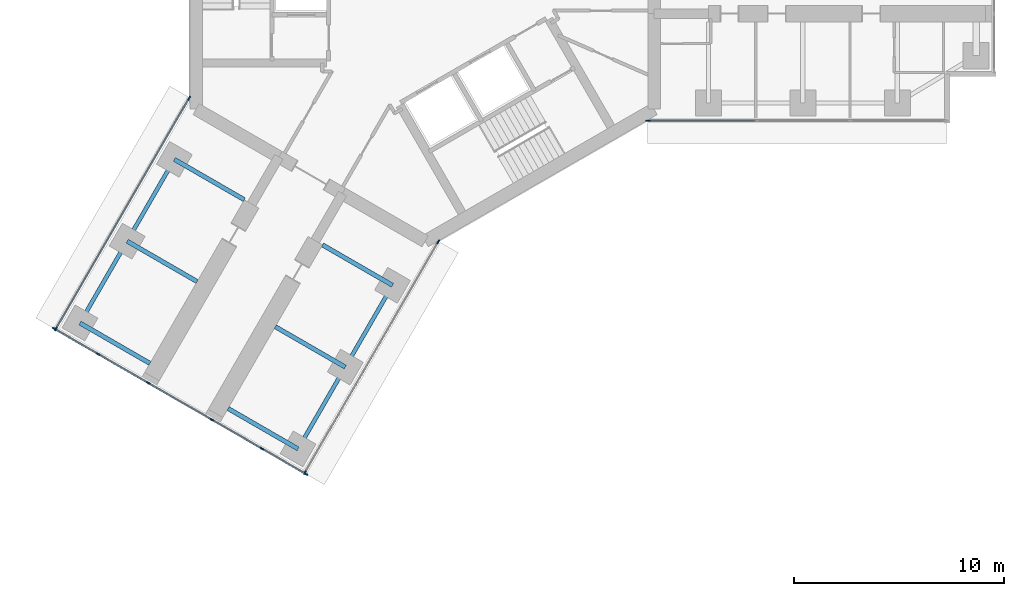
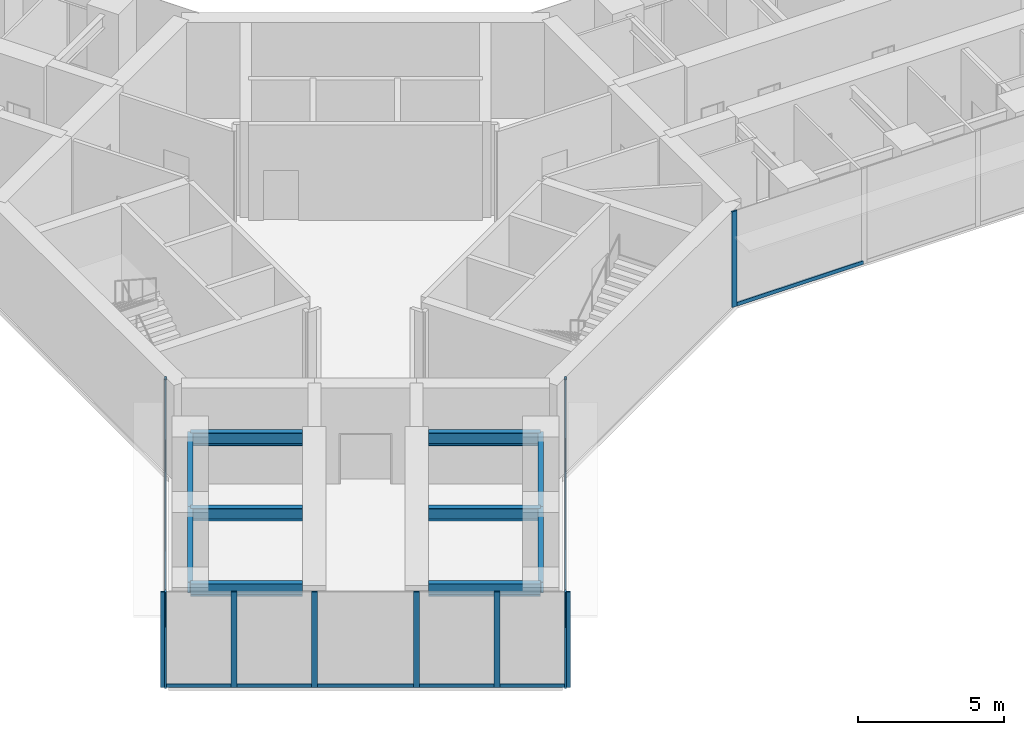
# One storey, part 2 of 23: 19 members, 10 beams, 4 elements without a shape of their own.
"""IFC4 building model written with IfcOpenShell, lengths in metres."""

from ifc_helpers import new_model, si_unit, direction, frame, origin, origin_2d, place, context, subcontext, project, spatial, rectangle, i_section, extrude, material, material_profile, profile_set, type_object, element, aggregate, save


model = new_model("IFC4")

# Units and contexts
model_context = context("Model", 3, precision=1e-05, world=origin(), true_north=direction((0.0, 1.0)))
body_context = subcontext(model_context, "Body", "Model", "MODEL_VIEW")
ifc_project = project(units=[si_unit("LENGTHUNIT", "METRE"), si_unit("AREAUNIT", "SQUARE_METRE"), si_unit("VOLUMEUNIT", "CUBIC_METRE"), si_unit("PLANEANGLEUNIT", "RADIAN"), si_unit("MASSUNIT", "GRAM", prefix="KILO")], contexts=[model_context])

# Site, building, storey
site_placement = place(None, origin())
site = spatial("IfcSite", under=ifc_project, at=site_placement, CompositionType="ELEMENT")
building_placement = place(site_placement, origin())
building = spatial("IfcBuilding", under=site, at=building_placement, Name="Upepo Twin Towers", CompositionType="ELEMENT")
storey_placement = place(building_placement, frame((0.0, 0.0, 145.5)))
storey = spatial("IfcBuildingStorey", under=building, at=storey_placement, Name="L35", CompositionType="ELEMENT", Elevation=145.5)

# Beams
ifc_material_1 = material(Name="Steel S355", Category="steel")
ifc_material_profile_1 = material_profile(ifc_material_1, i_section(OverallWidth=0.1904296875, OverallDepth=0.45703125, WebThickness=0.009033203125, FlangeThickness=0.014404296875, FilletRadius=0.01025390625, at=origin_2d()), Name="UB 457x191x74")
ifc_profile_set_1 = profile_set([ifc_material_profile_1], Name="Steel S355")
beam_type_1 = type_object("IfcBeamType", Name="Beam UB 457x191x74", PredefinedType="BEAM", material=ifc_profile_set_1)
beam_1_placement = place(storey_placement, frame((-1.553955078125, -14.69140625, 3.571533203125), z_axis=(-0.500013631625, -0.866017533419, 0.0), x_axis=(0.866017533419, -0.500013631625, 0.0)))
element("IfcBeam", 1, at=beam_1_placement, inside=storey, type_object=beam_type_1, Name="T1 edge beam CL 13.5-18.0", PredefinedType="BEAM", context=body_context, shape_type="SweptSolid", body=[
    extrude(i_section(OverallWidth=0.1904296875, OverallDepth=0.45703125, WebThickness=0.009033203125, FlangeThickness=0.014404296875, FilletRadius=0.01025390625, at=origin_2d()), origin(), (0.0, 0.0, 1.0), 4.499755859375),
])
beam_2_placement = place(storey_placement, frame((-3.803955078125, -18.58837890625, 3.571533203125), z_axis=(-0.499990139034, -0.866031096941, 0.0), x_axis=(0.866031096941, -0.499990139034, 0.0)))
element("IfcBeam", 2, at=beam_2_placement, inside=storey, type_object=beam_type_1, Name="T1 edge beam CL 18.0-22.5", PredefinedType="BEAM", context=body_context, shape_type="SweptSolid", body=[
    extrude(i_section(OverallWidth=0.1904296875, OverallDepth=0.45703125, WebThickness=0.009033203125, FlangeThickness=0.014404296875, FilletRadius=0.01025390625, at=origin_2d()), origin(), (0.0, 0.0, 1.0), 4.5),
])
beam_3_placement = place(storey_placement, frame((-11.946044921875, -8.69140625, 3.571533203125), z_axis=(-0.500013631625, -0.866017533419, 0.0), x_axis=(0.866017533419, -0.500013631625, 0.0)))
element("IfcBeam", 3, at=beam_3_placement, inside=storey, type_object=beam_type_1, Name="T1 edge beam CR 13.5-18.0", PredefinedType="BEAM", context=body_context, shape_type="SweptSolid", body=[
    extrude(i_section(OverallWidth=0.1904296875, OverallDepth=0.45703125, WebThickness=0.009033203125, FlangeThickness=0.014404296875, FilletRadius=0.01025390625, at=origin_2d()), origin(), (0.0, 0.0, 1.0), 4.499755859375),
])
beam_4_placement = place(storey_placement, frame((-14.196044921875, -12.58837890625, 3.571533203125), z_axis=(-0.499990139034, -0.866031096941, 0.0), x_axis=(0.866031096941, -0.499990139034, 0.0)))
element("IfcBeam", 4, at=beam_4_placement, inside=storey, type_object=beam_type_1, Name="T1 edge beam CR 18.0-22.5", PredefinedType="BEAM", context=body_context, shape_type="SweptSolid", body=[
    extrude(i_section(OverallWidth=0.1904296875, OverallDepth=0.45703125, WebThickness=0.009033203125, FlangeThickness=0.014404296875, FilletRadius=0.01025390625, at=origin_2d()), origin(), (0.0, 0.0, 1.0), 4.5),
])
ifc_material_2 = material(Name="Steel S355", Category="steel")
ifc_material_profile_2 = material_profile(ifc_material_2, i_section(OverallWidth=0.209228515625, OverallDepth=0.533203125, WebThickness=0.010009765625, FlangeThickness=0.015625, FilletRadius=0.0126953125, at=origin_2d()), Name="UB 533x210x92")
ifc_profile_set_2 = profile_set([ifc_material_profile_2], Name="Steel S355")
beam_type_2 = type_object("IfcBeamType", Name="Beam UB 533x210x92", PredefinedType="BEAM", material=ifc_profile_set_2)
beam_5_placement = place(storey_placement, frame((-1.553955078125, -14.69140625, 3.533447265625), z_axis=(-0.866006051527, 0.500033517596, 0.0), x_axis=(-0.500033517596, -0.866006051527, 0.0)))
element("IfcBeam", 5, at=beam_5_placement, inside=storey, type_object=beam_type_2, Name="T1 girder CL at 13.5", PredefinedType="BEAM", context=body_context, shape_type="SweptSolid", body=[
    extrude(i_section(OverallWidth=0.209228515625, OverallDepth=0.533203125, WebThickness=0.010009765625, FlangeThickness=0.015625, FilletRadius=0.0126953125, at=origin_2d()), origin(), (0.0, 0.0, 1.0), 3.849853515625),
])
beam_6_placement = place(storey_placement, frame((-3.803955078125, -18.58837890625, 3.533447265625), z_axis=(-0.866033512162, 0.499985955615, 0.0), x_axis=(-0.499985955615, -0.866033512162, 0.0)))
element("IfcBeam", 6, at=beam_6_placement, inside=storey, type_object=beam_type_2, Name="T1 girder CL at 18.0", PredefinedType="BEAM", context=body_context, shape_type="SweptSolid", body=[
    extrude(i_section(OverallWidth=0.209228515625, OverallDepth=0.533203125, WebThickness=0.010009765625, FlangeThickness=0.015625, FilletRadius=0.0126953125, at=origin_2d()), origin(), (0.0, 0.0, 1.0), 3.849609375),
])
for number, where, z_axis, x_axis, name in (
    (7, (-6.053955078125, -22.485595703125, 3.533447265625), (-0.866006051527, 0.500033517596, 0.0), (-0.500033517596, -0.866006051527, 0.0), "T1 girder CL at 22.5"),
    (8, (-11.946044921875, -8.69140625, 3.533447265625), (0.866006051527, -0.500033517596, 0.0), (0.500033517596, 0.866006051527, 0.0), "T1 girder CR at 13.5"),
    (9, (-14.196044921875, -12.58837890625, 3.533447265625), (0.866006051527, -0.500033517596, 0.0), (0.500033517596, 0.866006051527, 0.0), "T1 girder CR at 18.0"),
    (10, (-16.446044921875, -16.485595703125, 3.533447265625), (0.866006051527, -0.500033517596, 0.0), (0.500033517596, 0.866006051527, 0.0), "T1 girder CR at 22.5"),
):
    element("IfcBeam", number, at=place(storey_placement, frame(where, z_axis=z_axis, x_axis=x_axis)), inside=storey, type_object=beam_type_2, Name=name, PredefinedType="BEAM", context=body_context, shape_type="SweptSolid", body=[
        extrude(i_section(OverallWidth=0.209228515625, OverallDepth=0.533203125, WebThickness=0.010009765625, FlangeThickness=0.015625, FilletRadius=0.0126953125, at=origin_2d()), origin(), (0.0, 0.0, 1.0), 3.849853515625),
    ])

# Curtain wall, member
ifc_material_3 = material(Name="Aluminium and fritted glass", Category="aluminium")
curtain_wall_type = type_object("IfcCurtainWallType", Name="Tower curtain wall TW2, fritted glass", PredefinedType="NOTDEFINED", material=ifc_material_3)
curtain_wall_1_placement = place(storey_placement, origin())
curtain_wall_1 = element("IfcCurtainWall", 11, at=curtain_wall_1_placement, inside=storey, type_object=curtain_wall_type, Name="T1 L35 wing A flank R curtain wall", PredefinedType="NOTDEFINED")
ifc_material_4 = material(Name="Aluminium mullion", Category="aluminium")
ifc_material_profile_3 = material_profile(ifc_material_4, rectangle(XDim=0.06494140625, YDim=0.199951171875, at=origin_2d()), Name="MULLION 65x200")
ifc_profile_set_3 = profile_set([ifc_material_profile_3], Name="Aluminium mullion")
member_type_1 = type_object("IfcMemberType", Name="Mullion 65x200 TW2", PredefinedType="MULLION", material=ifc_profile_set_3)
member_1_placement = place(storey_placement, frame((10.61962890625, -6.85009765625, 0.0), z_axis=(0.0, 0.0, 1.0), x_axis=(0.0, -1.0, 0.0)))
member_1 = element("IfcMember", 12, at=member_1_placement, type_object=member_type_1, Name="T1 L35 wing A flank R curtain wall mullion 4", PredefinedType="MULLION", context=body_context, shape_type="SweptSolid", body=[
    extrude(rectangle(XDim=0.06494140625, YDim=0.199951171875, at=origin_2d()), origin(), (0.0, 0.0, 1.0), 4.0),
])

# Curtain wall, members
curtain_wall_2_placement = place(storey_placement, origin())
curtain_wall_2 = element("IfcCurtainWall", 13, at=curtain_wall_2_placement, inside=storey, type_object=curtain_wall_type, Name="T1 L35 wing C flank L curtain wall", PredefinedType="NOTDEFINED")
member_2_placement = place(storey_placement, frame((0.62255859375, -12.621826171875, 0.0), z_axis=(0.0, 0.0, 1.0), x_axis=(0.866025399212, -0.50000000792, 0.0)))
member_2 = element("IfcMember", 14, at=member_2_placement, type_object=member_type_1, Name="T1 L35 wing C flank L curtain wall mullion 1", PredefinedType="MULLION", context=body_context, shape_type="SweptSolid", body=[
    extrude(rectangle(XDim=0.06494140625, YDim=0.199951171875, at=origin_2d()), origin(), (0.0, 0.0, 1.0), 4.0),
])
member_3_placement = place(storey_placement, frame((-5.7265625, -23.61865234375, 0.0), z_axis=(0.0, 0.0, 1.0), x_axis=(0.866025399212, -0.50000000792, 0.0)))
member_3 = element("IfcMember", 15, at=member_3_placement, type_object=member_type_1, Name="T1 L35 wing C flank L curtain wall mullion 2", PredefinedType="MULLION", context=body_context, shape_type="SweptSolid", body=[
    extrude(rectangle(XDim=0.06494140625, YDim=0.199951171875, at=origin_2d()), origin(), (0.0, 0.0, 1.0), 4.0),
])

curtain_wall_3_placement = place(storey_placement, origin())
curtain_wall_3 = element("IfcCurtainWall", 16, at=curtain_wall_3_placement, inside=storey, type_object=curtain_wall_type, Name="T1 L35 wing C flank R curtain wall", PredefinedType="NOTDEFINED")
member_4_placement = place(storey_placement, frame((-17.591064453125, -16.7685546875, 0.0), z_axis=(0.0, 0.0, 1.0), x_axis=(-0.866025399212, 0.50000000792, 0.0)))
member_4 = element("IfcMember", 17, at=member_4_placement, type_object=member_type_1, Name="T1 L35 wing C flank R curtain wall mullion 1", PredefinedType="MULLION", context=body_context, shape_type="SweptSolid", body=[
    extrude(rectangle(XDim=0.06494140625, YDim=0.199951171875, at=origin_2d()), origin(), (0.0, 0.0, 1.0), 4.0),
])
member_5_placement = place(storey_placement, frame((-11.2421875, -5.77197265625, 0.0), z_axis=(0.0, 0.0, 1.0), x_axis=(-0.866025399212, 0.50000000792, 0.0)))
member_5 = element("IfcMember", 18, at=member_5_placement, type_object=member_type_1, Name="T1 L35 wing C flank R curtain wall mullion 2", PredefinedType="MULLION", context=body_context, shape_type="SweptSolid", body=[
    extrude(rectangle(XDim=0.06494140625, YDim=0.199951171875, at=origin_2d()), origin(), (0.0, 0.0, 1.0), 4.0),
])

curtain_wall_4_placement = place(storey_placement, origin())
curtain_wall_4 = element("IfcCurtainWall", 19, at=curtain_wall_4_placement, inside=storey, type_object=curtain_wall_type, Name="T1 L35 wing C nose curtain wall", PredefinedType="NOTDEFINED")
member_6_placement = place(storey_placement, frame((-17.665771484375, -16.762939453125, 0.0), z_axis=(0.0, 0.0, 1.0), x_axis=(0.499999972355, 0.866025419745, 0.0)))
member_6 = element("IfcMember", 20, at=member_6_placement, type_object=member_type_1, Name="T1 L35 wing C nose curtain wall mullion 1", PredefinedType="MULLION", context=body_context, shape_type="SweptSolid", body=[
    extrude(rectangle(XDim=0.06494140625, YDim=0.199951171875, at=origin_2d()), origin(), (0.0, 0.0, 1.0), 4.0),
])
member_7_placement = place(storey_placement, frame((-15.572021484375, -17.9716796875, 0.0), z_axis=(0.0, 0.0, 1.0), x_axis=(0.499999972355, 0.866025419745, 0.0)))
member_7 = element("IfcMember", 21, at=member_7_placement, type_object=member_type_1, Name="T1 L35 wing C nose curtain wall mullion 2", PredefinedType="MULLION", context=body_context, shape_type="SweptSolid", body=[
    extrude(rectangle(XDim=0.06494140625, YDim=0.199951171875, at=origin_2d()), origin(), (0.0, 0.0, 1.0), 4.0),
])
member_8_placement = place(storey_placement, frame((-13.1904296875, -19.3466796875, 0.0), z_axis=(0.0, 0.0, 1.0), x_axis=(0.499999972355, 0.866025419745, 0.0)))
member_8 = element("IfcMember", 22, at=member_8_placement, type_object=member_type_1, Name="T1 L35 wing C nose curtain wall mullion 3", PredefinedType="MULLION", context=body_context, shape_type="SweptSolid", body=[
    extrude(rectangle(XDim=0.06494140625, YDim=0.199951171875, at=origin_2d()), origin(), (0.0, 0.0, 1.0), 4.0),
])
member_9_placement = place(storey_placement, frame((-10.159423828125, -21.0966796875, 0.0), z_axis=(0.0, 0.0, 1.0), x_axis=(0.499999972355, 0.866025419745, 0.0)))
member_9 = element("IfcMember", 23, at=member_9_placement, type_object=member_type_1, Name="T1 L35 wing C nose curtain wall mullion 4", PredefinedType="MULLION", context=body_context, shape_type="SweptSolid", body=[
    extrude(rectangle(XDim=0.06494140625, YDim=0.199951171875, at=origin_2d()), origin(), (0.0, 0.0, 1.0), 4.0),
])
member_10_placement = place(storey_placement, frame((-7.77783203125, -22.4716796875, 0.0), z_axis=(0.0, 0.0, 1.0), x_axis=(0.499999972355, 0.866025419745, 0.0)))
member_10 = element("IfcMember", 24, at=member_10_placement, type_object=member_type_1, Name="T1 L35 wing C nose curtain wall mullion 5", PredefinedType="MULLION", context=body_context, shape_type="SweptSolid", body=[
    extrude(rectangle(XDim=0.06494140625, YDim=0.199951171875, at=origin_2d()), origin(), (0.0, 0.0, 1.0), 4.0),
])
member_11_placement = place(storey_placement, frame((-5.684326171875, -23.680419921875, 0.0), z_axis=(0.0, 0.0, 1.0), x_axis=(0.499999972355, 0.866025419745, 0.0)))
member_11 = element("IfcMember", 25, at=member_11_placement, type_object=member_type_1, Name="T1 L35 wing C nose curtain wall mullion 6", PredefinedType="MULLION", context=body_context, shape_type="SweptSolid", body=[
    extrude(rectangle(XDim=0.06494140625, YDim=0.199951171875, at=origin_2d()), origin(), (0.0, 0.0, 1.0), 4.0),
])

# Member
ifc_material_5 = material(Name="Aluminium transom", Category="aluminium")
ifc_material_profile_4 = material_profile(ifc_material_5, rectangle(XDim=0.06494140625, YDim=0.14990234375, at=origin_2d()), Name="TRANSOM 65x150")
ifc_profile_set_4 = profile_set([ifc_material_profile_4], Name="Aluminium transom")
member_type_2 = type_object("IfcMemberType", Name="Transom 65x150 TW2", PredefinedType="USERDEFINED", material=ifc_profile_set_4)
member_12_placement = place(storey_placement, frame((15.717529296875, -6.85009765625, 0.074951171875), z_axis=(-1.0, 0.0, 0.0), x_axis=(0.0, -1.0, 0.0)))
member_12 = element("IfcMember", 26, at=member_12_placement, type_object=member_type_2, Name="T1 L35 wing A flank R curtain wall transom 3", ObjectType="TRANSOM", PredefinedType="USERDEFINED", context=body_context, shape_type="SweptSolid", body=[
    extrude(rectangle(XDim=0.06494140625, YDim=0.14990234375, at=origin_2d()), origin(), (0.0, 0.0, 1.0), 5.0654296875),
])

aggregate(curtain_wall_1, [member_1, member_12])

member_13_placement = place(storey_placement, frame((0.606201171875, -12.64990234375, 0.074951171875), z_axis=(-0.499996807431, -0.866027247007, 0.0), x_axis=(0.866027247007, -0.499996807431, 0.0)))
member_13 = element("IfcMember", 27, at=member_13_placement, type_object=member_type_2, Name="T1 L35 wing C flank L curtain wall transom 1", ObjectType="TRANSOM", PredefinedType="USERDEFINED", context=body_context, shape_type="SweptSolid", body=[
    extrude(rectangle(XDim=0.06494140625, YDim=0.14990234375, at=origin_2d()), origin(), (0.0, 0.0, 1.0), 12.6328125),
])

aggregate(curtain_wall_2, [member_2, member_3, member_13])

member_14_placement = place(storey_placement, frame((-17.57470703125, -16.740478515625, 0.074951171875), z_axis=(0.499996807431, 0.866027247007, 0.0), x_axis=(-0.866027247007, 0.499996807431, 0.0)))
member_14 = element("IfcMember", 28, at=member_14_placement, type_object=member_type_2, Name="T1 L35 wing C flank R curtain wall transom 1", ObjectType="TRANSOM", PredefinedType="USERDEFINED", context=body_context, shape_type="SweptSolid", body=[
    extrude(rectangle(XDim=0.06494140625, YDim=0.14990234375, at=origin_2d()), origin(), (0.0, 0.0, 1.0), 12.6328125),
])

aggregate(curtain_wall_3, [member_4, member_5, member_14])

member_15_placement = place(storey_placement, frame((-17.6376953125, -16.779296875, 0.074951171875), z_axis=(0.866069800327, -0.499923095048, 0.0), x_axis=(0.499923095048, 0.866069800327, 0.0)))
member_15 = element("IfcMember", 29, at=member_15_placement, type_object=member_type_2, Name="T1 L35 wing C nose curtain wall transom 1", ObjectType="TRANSOM", PredefinedType="USERDEFINED", context=body_context, shape_type="SweptSolid", body=[
    extrude(rectangle(XDim=0.06494140625, YDim=0.14990234375, at=origin_2d()), origin(), (0.0, 0.0, 1.0), 2.352294921875),
])

member_16_placement = place(storey_placement, frame((-15.5439453125, -17.988037109375, 0.074951171875), z_axis=(0.8660523339, -0.49995335277, 0.0), x_axis=(0.49995335277, 0.8660523339, 0.0)))
member_16 = element("IfcMember", 30, at=member_16_placement, type_object=member_type_2, Name="T1 L35 wing C nose curtain wall transom 2", ObjectType="TRANSOM", PredefinedType="USERDEFINED", context=body_context, shape_type="SweptSolid", body=[
    extrude(rectangle(XDim=0.06494140625, YDim=0.14990234375, at=origin_2d()), origin(), (0.0, 0.0, 1.0), 2.684814453125),
])

member_17_placement = place(storey_placement, frame((-13.162353515625, -19.363037109375, 0.074951171875), z_axis=(0.866056579774, -0.499945997713, 0.0), x_axis=(0.499945997713, 0.866056579774, 0.0)))
member_17 = element("IfcMember", 31, at=member_17_placement, type_object=member_type_2, Name="T1 L35 wing C nose curtain wall transom 3", ObjectType="TRANSOM", PredefinedType="USERDEFINED", context=body_context, shape_type="SweptSolid", body=[
    extrude(rectangle(XDim=0.06494140625, YDim=0.14990234375, at=origin_2d()), origin(), (0.0, 0.0, 1.0), 3.43505859375),
])

member_18_placement = place(storey_placement, frame((-10.13134765625, -21.113037109375, 0.074951171875), z_axis=(0.8660523339, -0.49995335277, 0.0), x_axis=(0.49995335277, 0.8660523339, 0.0)))
member_18 = element("IfcMember", 32, at=member_18_placement, type_object=member_type_2, Name="T1 L35 wing C nose curtain wall transom 4", ObjectType="TRANSOM", PredefinedType="USERDEFINED", context=body_context, shape_type="SweptSolid", body=[
    extrude(rectangle(XDim=0.06494140625, YDim=0.14990234375, at=origin_2d()), origin(), (0.0, 0.0, 1.0), 2.684814453125),
])

member_19_placement = place(storey_placement, frame((-7.749755859375, -22.488037109375, 0.074951171875), z_axis=(0.866024864377, -0.50000093428, 0.0), x_axis=(0.50000093428, 0.866024864377, 0.0)))
member_19 = element("IfcMember", 33, at=member_19_placement, type_object=member_type_2, Name="T1 L35 wing C nose curtain wall transom 5", ObjectType="TRANSOM", PredefinedType="USERDEFINED", context=body_context, shape_type="SweptSolid", body=[
    extrude(rectangle(XDim=0.06494140625, YDim=0.14990234375, at=origin_2d()), origin(), (0.0, 0.0, 1.0), 2.3525390625),
])

aggregate(curtain_wall_4, [member_6, member_7, member_8, member_9, member_10, member_11, member_15, member_16, member_17, member_18, member_19])

save(model, "model.ifc")
